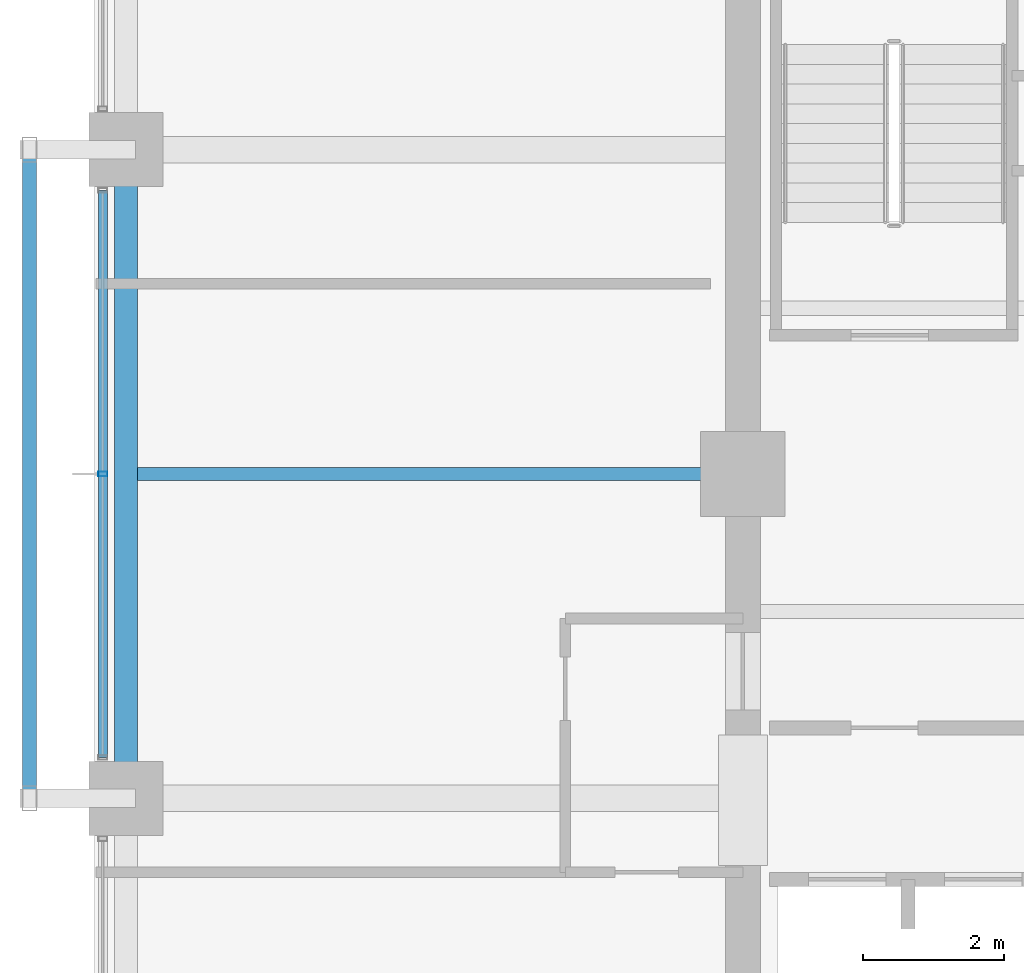
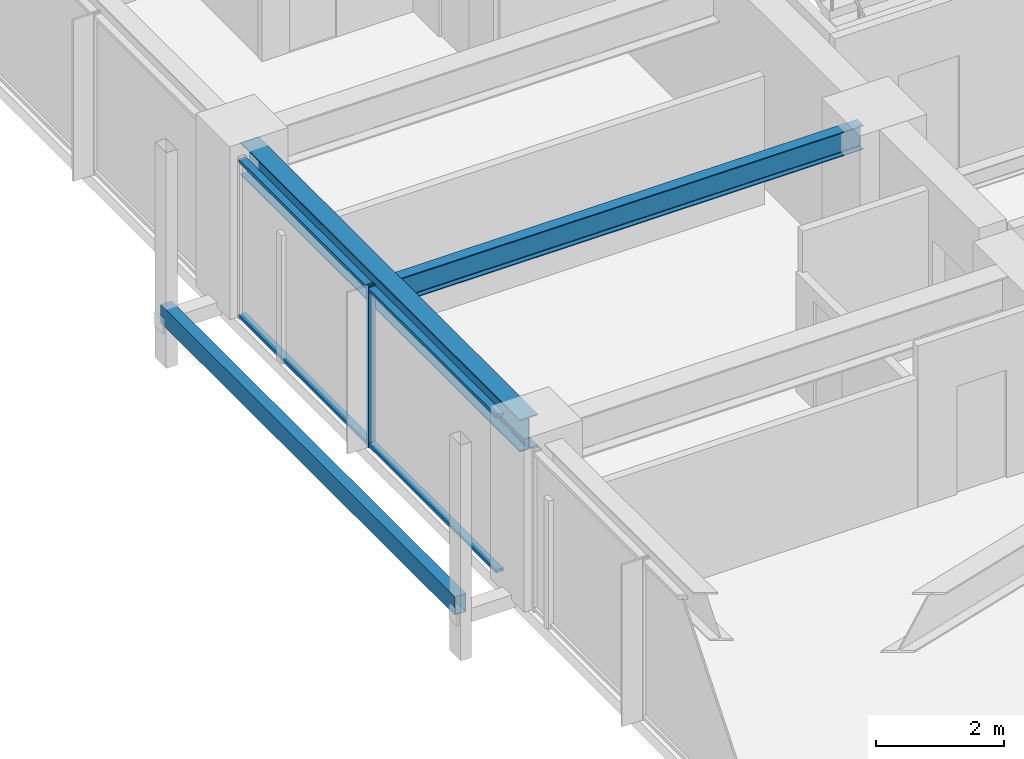
# One storey, part 9 of 34: 4 members, 2 beams, 1 element without a shape of its own.
"""IFC4 building model written with IfcOpenShell, lengths in metres."""

import ifcopenshell
import ifcopenshell.guid

model = None  # the IFC model being written
_history = None  # IfcOwnerHistory: only IFC2X3 demands one
_inside = {}  # id of a spatial element -> (the spatial element, [elements in it])
_under = {}  # id of a project, library or spatial element -> (it, [spatial elements below it])
_declared = {}  # id of a project -> (the project, [libraries it declares])
_typed = {}  # id of a type object -> (the type object, [elements of that type])
_made_of = {}  # id of a material, layer set ... -> (it, [elements and type objects made of it])


def new_model(schema):
    """Start an empty IFC model of exactly this schema.

    Asked for "IFC4X3", IfcOpenShell would pick the latest addendum, in which some entities
    have other attributes; the version numbers below select the first issue.
    IFC2X3 requires an IfcOwnerHistory on every rooted entity: one is made here for all.
    """
    global model, _history
    if schema == "IFC4X3":
        model = ifcopenshell.file(schema_version=(4, 3, 0, 0))
    else:
        model = ifcopenshell.file(schema=schema)
    _inside.clear()
    _under.clear()
    _declared.clear()
    _typed.clear()
    _made_of.clear()
    _history = None
    if model.schema == "IFC2X3":
        org = make("IfcOrganization", Name="unknown")
        user = make(
            "IfcPersonAndOrganization",
            ThePerson=make("IfcPerson", FamilyName="unknown"),
            TheOrganization=org,
        )
        app = make(
            "IfcApplication",
            ApplicationDeveloper=org,
            Version="unknown",
            ApplicationFullName="unknown",
            ApplicationIdentifier="unknown",
        )
        _history = make(
            "IfcOwnerHistory",
            OwningUser=user,
            OwningApplication=app,
            ChangeAction="ADDED",
            CreationDate=0,
        )
    return model


def make(cls, **values):
    """One entity of the class cls with the attributes given. An attribute that is None is left unset."""
    return model.create_entity(
        cls, **{name: value for name, value in values.items() if value is not None}
    )


def rooted(cls, **values):
    """An entity with a GlobalId (a new one), such as an element, a storey or a relation."""
    return make(cls, GlobalId=ifcopenshell.guid.new(), OwnerHistory=_history, **values)


def si_unit(unit_type, name, prefix=None):
    """IfcSIUnit, for example si_unit("LENGTHUNIT", "METRE", prefix="MILLI")."""
    return make("IfcSIUnit", UnitType=unit_type, Prefix=prefix, Name=name)


def assignment(units):
    """IfcUnitAssignment: the units of a project."""
    return None if units is None else make("IfcUnitAssignment", Units=units)


def point(xyz):
    """IfcCartesianPoint."""
    return None if xyz is None else make("IfcCartesianPoint", Coordinates=xyz)


def direction(xyz):
    """IfcDirection."""
    return None if xyz is None else make("IfcDirection", DirectionRatios=xyz)


def frame(location, z_axis=None, x_axis=None):
    """IfcAxis2Placement3D, a coordinate frame: its origin and axes. An axis left out is left unset."""
    return make(
        "IfcAxis2Placement3D",
        Location=point(location),
        Axis=direction(z_axis),
        RefDirection=direction(x_axis),
    )


def frame_2d(location, x_axis=None):
    """IfcAxis2Placement2D, a coordinate frame in the plane: its origin and x axis."""
    return make(
        "IfcAxis2Placement2D", Location=point(location), RefDirection=direction(x_axis)
    )


def origin():
    """The frame at (0, 0, 0) with its axes left unset."""
    return frame((0.0, 0.0, 0.0))


def origin_2d():
    """The frame at (0, 0) in the plane with its x axis left unset."""
    return frame_2d((0.0, 0.0))


def place(relative_to, where):
    """IfcLocalPlacement: puts the frame where relative to a parent placement (None: the world)."""
    return make(
        "IfcLocalPlacement", PlacementRelTo=relative_to, RelativePlacement=where
    )


def context(
    kind, dimensions, precision=None, world=None, true_north=None, identifier=None
):
    """IfcGeometricRepresentationContext, for example the 3D "Model" context."""
    return make(
        "IfcGeometricRepresentationContext",
        ContextIdentifier=identifier,
        ContextType=kind,
        CoordinateSpaceDimension=dimensions,
        Precision=precision,
        WorldCoordinateSystem=world,
        TrueNorth=true_north,
    )


def subcontext(parent, identifier, kind, view, scale=None):
    """IfcGeometricRepresentationSubContext, for example "Body" below "Model"."""
    return make(
        "IfcGeometricRepresentationSubContext",
        ContextIdentifier=identifier,
        ContextType=kind,
        ParentContext=parent,
        TargetScale=scale,
        TargetView=view,
    )


def project(units=None, contexts=None):
    """IfcProject with its units and contexts."""
    return rooted(
        "IfcProject",
        Name="project",
        RepresentationContexts=contexts,
        UnitsInContext=assignment(units),
    )


def spatial(cls, under=None, at=None, **own):
    """A site, building, storey or space (cls), placed at a placement, below another one or the project."""
    s = rooted(cls, ObjectPlacement=at, **own)
    if under is not None:
        _under.setdefault(under.id(), (under, []))[1].append(s)
    return s


def profile(cls, at=None, kind="AREA", **sizes):
    """A parametric profile (cls). Its sizes go by their IFC names, for example OverallWidth=200.0."""
    return make(cls, ProfileType=kind, Position=at, **sizes)


def hollow_rectangle(**sizes):
    """IfcRectangleHollowProfileDef."""
    return profile("IfcRectangleHollowProfileDef", **sizes)


def i_section(**sizes):
    """IfcIShapeProfileDef."""
    return profile("IfcIShapeProfileDef", **sizes)


def extrude(swept, where, along, depth):
    """IfcExtrudedAreaSolid: the profile swept, set in the frame where, extruded along a direction by depth."""
    return make(
        "IfcExtrudedAreaSolid",
        SweptArea=swept,
        Position=where,
        ExtrudedDirection=direction(along),
        Depth=depth,
    )


def shape(context_of_items, identifier, shape_type, items):
    """IfcShapeRepresentation: the items that make up one representation, for example the "Body"."""
    return make(
        "IfcShapeRepresentation",
        ContextOfItems=context_of_items,
        RepresentationIdentifier=identifier,
        RepresentationType=shape_type,
        Items=items,
    )


def material(Name=None, Category=None):
    """IfcMaterial."""
    return make("IfcMaterial", Name=Name, Category=Category)


def material_profile(
    of_material, cross_section, Name=None, Category=None, Priority=None
):
    """IfcMaterialProfile: a cross section and its material."""
    return make(
        "IfcMaterialProfile",
        Name=Name,
        Material=of_material,
        Profile=cross_section,
        Priority=Priority,
        Category=Category,
    )


def profile_set(profiles, Name=None, composite=None):
    """IfcMaterialProfileSet."""
    return make(
        "IfcMaterialProfileSet",
        Name=Name,
        MaterialProfiles=profiles,
        CompositeProfile=composite,
    )


def made_of(thing, what):
    """Note that an element or type object is made of a material, layer set ...; save() writes the relation."""
    if what is not None:
        _made_of.setdefault(what.id(), (what, []))[1].append(thing)
    return thing


def type_object(cls, material=None, **own):
    """A type object (cls), such as IfcWallType, which elements share."""
    return made_of(rooted(cls, **own), material)


def element(
    cls,
    number,
    at=None,
    inside=None,
    cuts=None,
    type_object=None,
    material=None,
    context=None,
    identifier="Body",
    shape_type=None,
    held_by="IfcProductDefinitionShape",
    body=None,
    shapes=None,
    **own,
):
    """One element of the class cls, such as IfcWall. Its Tag is "e" and its number.

    at: its placement. inside: the storey or other place that contains it. cuts: it is an
    opening in that element (IfcRelVoidsElement). A single representation is given by context,
    identifier, shape_type and body (its items); several are given by shapes. held_by: the class
    of the entity that holds the representations. save() writes the other relations.
    """
    e = rooted(cls, Tag="e%d" % number, ObjectPlacement=at, **own)
    if body is not None:
        shapes = [shape(context, identifier, shape_type, body)]
    if shapes is not None:
        e.Representation = make(held_by, Representations=shapes)
    if inside is not None:
        _inside.setdefault(inside.id(), (inside, []))[1].append(e)
    if cuts is not None:
        rooted(
            "IfcRelVoidsElement", RelatingBuildingElement=cuts, RelatedOpeningElement=e
        )
    if type_object is not None:
        _typed.setdefault(type_object.id(), (type_object, []))[1].append(e)
    return made_of(e, material)


def aggregate(whole, parts):
    """IfcRelAggregates: a whole, such as a stair, and the parts it consists of."""
    return rooted("IfcRelAggregates", RelatingObject=whole, RelatedObjects=parts)


def save(model, path):
    """Write the relations noted so far, then the file.

    IfcRelAggregates (storeys below a building ...), IfcRelContainedInSpatialStructure (elements
    in a storey), IfcRelDefinesByType, IfcRelAssociatesMaterial and IfcRelDeclares: one each for
    every whole, place, type object, material and project.
    """
    for whole, parts in _under.values():
        aggregate(whole, parts)
    for where, things in _inside.values():
        rooted(
            "IfcRelContainedInSpatialStructure",
            RelatedElements=things,
            RelatingStructure=where,
        )
    for kind, things in _typed.values():
        rooted("IfcRelDefinesByType", RelatedObjects=things, RelatingType=kind)
    for what, things in _made_of.values():
        rooted("IfcRelAssociatesMaterial", RelatedObjects=things, RelatingMaterial=what)
    for by, libraries in _declared.values():
        rooted("IfcRelDeclares", RelatingContext=by, RelatedDefinitions=libraries)
    model.write(path)


model = new_model("IFC4")

# Units and contexts
model_context = context("Model", 3, precision=1e-05, world=origin(), true_north=direction((0.0, 1.0)))
body_context = subcontext(model_context, "Body", "Model", "MODEL_VIEW")
ifc_project = project(units=[si_unit("LENGTHUNIT", "METRE"), si_unit("AREAUNIT", "SQUARE_METRE"), si_unit("VOLUMEUNIT", "CUBIC_METRE"), si_unit("PLANEANGLEUNIT", "RADIAN"), si_unit("MASSUNIT", "GRAM", prefix="KILO")], contexts=[model_context])

# Site, building, storey
site_placement = place(None, origin())
site = spatial("IfcSite", under=ifc_project, at=site_placement, CompositionType="ELEMENT")
building_placement = place(site_placement, origin())
building = spatial("IfcBuilding", under=site, at=building_placement, Name="Kolvaren Belvedere", CompositionType="ELEMENT")
storey_placement = place(building_placement, frame((0.0, 0.0, 111.800048828125)))
storey = spatial("IfcBuildingStorey", under=building, at=storey_placement, Name="L32", CompositionType="ELEMENT", Elevation=111.800048828125)

# Beams
ifc_material_1 = material(Name="Structural steel ASTM A992 Grade 50", Category="steel")
ifc_material_profile_1 = material_profile(ifc_material_1, i_section(OverallWidth=0.19091796875, OverallDepth=0.4599609375, WebThickness=0.010009765625, FlangeThickness=0.01611328125, FilletRadius=0.014892578125, at=origin_2d()), Name="W18X55")
ifc_profile_set_1 = profile_set([ifc_material_profile_1], Name="Structural steel ASTM A992 Grade 50")
beam_type_1 = type_object("IfcBeamType", Name="BM-JOIST-W18X55", PredefinedType="BEAM", material=ifc_profile_set_1)
beam_1_placement = place(storey_placement, frame((-10.14990234375, 0.0, 2.849853515625), z_axis=(-1.0, 0.0, 0.0), x_axis=(0.0, -1.0, 0.0)))
element("IfcBeam", 1, at=beam_1_placement, inside=storey, type_object=beam_type_1, Name="L32 West Centre Floor Beam", PredefinedType="BEAM", context=body_context, shape_type="SweptSolid", body=[
    extrude(i_section(OverallWidth=0.19091796875, OverallDepth=0.4599609375, WebThickness=0.010009765625, FlangeThickness=0.01611328125, FilletRadius=0.014892578125, at=origin_2d()), origin(), (0.0, 0.0, 1.0), 8.337646484375),
])
ifc_material_2 = material(Name="Structural steel ASTM A992 Grade 50", Category="steel")
ifc_material_profile_2 = material_profile(ifc_material_2, i_section(OverallWidth=0.324951171875, OverallDepth=0.615966796875, WebThickness=0.013916015625, FlangeThickness=0.021484375, FilletRadius=0.02001953125, at=origin_2d()), Name="W24X117")
ifc_profile_set_2 = profile_set([ifc_material_profile_2], Name="Structural steel ASTM A992 Grade 50")
beam_type_2 = type_object("IfcBeamType", Name="BM-SPAN-W24X117", PredefinedType="SPANDREL", material=ifc_profile_set_2)
beam_2_placement = place(storey_placement, frame((-18.64990234375, 4.36376953125, 2.77197265625), z_axis=(0.0, -1.0, 0.0), x_axis=(1.0, 0.0, 0.0)))
element("IfcBeam", 2, at=beam_2_placement, inside=storey, type_object=beam_type_2, Name="L32 Perimeter Spandrel W3-W2", PredefinedType="SPANDREL", context=body_context, shape_type="SweptSolid", body=[
    extrude(i_section(OverallWidth=0.324951171875, OverallDepth=0.615966796875, WebThickness=0.013916015625, FlangeThickness=0.021484375, FilletRadius=0.02001953125, at=origin_2d()), origin(), (0.0, 0.0, 1.0), 8.7275390625),
])

# Curtain wall, members
ifc_material_3 = material(Name="Anodised pale-metal aluminium AA 6063-T6", Category="aluminium")
curtain_wall_type = type_object("IfcCurtainWallType", Name="CW-Z3-WAIST", PredefinedType="NOTDEFINED", material=ifc_material_3)
curtain_wall_placement = place(storey_placement, origin())
curtain_wall = element("IfcCurtainWall", 3, at=curtain_wall_placement, inside=storey, type_object=curtain_wall_type, Name="L32 Unitised Curtain Wall FCW-L32-W-B2", PredefinedType="NOTDEFINED")
ifc_material_4 = material(Name="Anodised pale-metal aluminium AA 6063-T6", Category="aluminium")
ifc_material_profile_3 = material_profile(ifc_material_4, hollow_rectangle(XDim=0.06494140625, YDim=0.1298828125, WallThickness=0.00390625, at=origin_2d()), Name="ALU-MUL-130X65")
ifc_profile_set_3 = profile_set([ifc_material_profile_3], Name="Anodised pale-metal aluminium AA 6063-T6")
member_type_1 = type_object("IfcMemberType", Name="CW-MUL-130", PredefinedType="MULLION", material=ifc_profile_set_3)
member_1_placement = place(storey_placement, frame((-18.97998046875, 0.0, 0.0), z_axis=(0.0, 0.0, 1.0), x_axis=(0.0, 1.0, 0.0)))
member_1 = element("IfcMember", 4, at=member_1_placement, type_object=member_type_1, Name="FCW-L32-W-B2 Unitised Mullion 2", PredefinedType="MULLION", context=body_context, shape_type="SweptSolid", body=[
    extrude(hollow_rectangle(XDim=0.06494140625, YDim=0.1298828125, WallThickness=0.00390625, at=origin_2d()), origin(), (0.0, 0.0, 1.0), 3.079833984375),
])
ifc_material_5 = material(Name="Anodised pale-metal aluminium AA 6063-T6", Category="aluminium")
ifc_material_profile_4 = material_profile(ifc_material_5, hollow_rectangle(XDim=0.06005859375, YDim=0.1298828125, WallThickness=0.00390625, at=origin_2d()), Name="ALU-TRN-130X60")
ifc_profile_set_4 = profile_set([ifc_material_profile_4], Name="Anodised pale-metal aluminium AA 6063-T6")
member_type_2 = type_object("IfcMemberType", Name="CW-TRN-130", PredefinedType="USERDEFINED", material=ifc_profile_set_4)
member_2_placement = place(storey_placement, frame((-18.97998046875, -4.0224609375, 0.06005859375), z_axis=(0.0, 1.0, 0.0), x_axis=(0.0, 0.0, 1.0)))
member_2 = element("IfcMember", 5, at=member_2_placement, type_object=member_type_2, Name="FCW-L32-W-B2 Sill Transom", ObjectType="TRANSOM", PredefinedType="USERDEFINED", context=body_context, shape_type="SweptSolid", body=[
    extrude(hollow_rectangle(XDim=0.06005859375, YDim=0.1298828125, WallThickness=0.00390625, at=origin_2d()), origin(), (0.0, 0.0, 1.0), 8.044921875),
])
member_3_placement = place(storey_placement, frame((-18.97998046875, -4.0224609375, 3.02001953125), z_axis=(0.0, 1.0, 0.0), x_axis=(0.0, 0.0, 1.0)))
member_3 = element("IfcMember", 6, at=member_3_placement, type_object=member_type_2, Name="FCW-L32-W-B2 Head Transom", ObjectType="TRANSOM", PredefinedType="USERDEFINED", context=body_context, shape_type="SweptSolid", body=[
    extrude(hollow_rectangle(XDim=0.06005859375, YDim=0.1298828125, WallThickness=0.00390625, at=origin_2d()), origin(), (0.0, 0.0, 1.0), 8.044921875),
])
aggregate(curtain_wall, [member_1, member_2, member_3])

# Member
ifc_material_6 = material(Name="Anodised pale-metal aluminium AA 6063-T6", Category="aluminium")
ifc_material_profile_5 = material_profile(ifc_material_6, hollow_rectangle(XDim=0.199951171875, YDim=0.35009765625, WallThickness=0.007568359375, at=origin_2d()), Name="ALU-PF-350X200")
ifc_profile_set_5 = profile_set([ifc_material_profile_5], Name="Anodised pale-metal aluminium AA 6063-T6")
member_type_3 = type_object("IfcMemberType", Name="PF-FRAME-350", PredefinedType="USERDEFINED", material=ifc_profile_set_5)
member_4_placement = place(storey_placement, frame((-20.02001953125, -4.60009765625, 0.1298828125), z_axis=(0.0, 1.0, 0.0), x_axis=(-1.0, 0.0, 0.0)))
element("IfcMember", 7, at=member_4_placement, inside=storey, type_object=member_type_3, Name="L32 Outboard Picture-Frame Sill W", ObjectType="PICTURE FRAME FIN", PredefinedType="USERDEFINED", context=body_context, shape_type="SweptSolid", body=[
    extrude(hollow_rectangle(XDim=0.199951171875, YDim=0.35009765625, WallThickness=0.007568359375, at=origin_2d()), origin(), (0.0, 0.0, 1.0), 9.2001953125),
])

save(model, "model.ifc")
